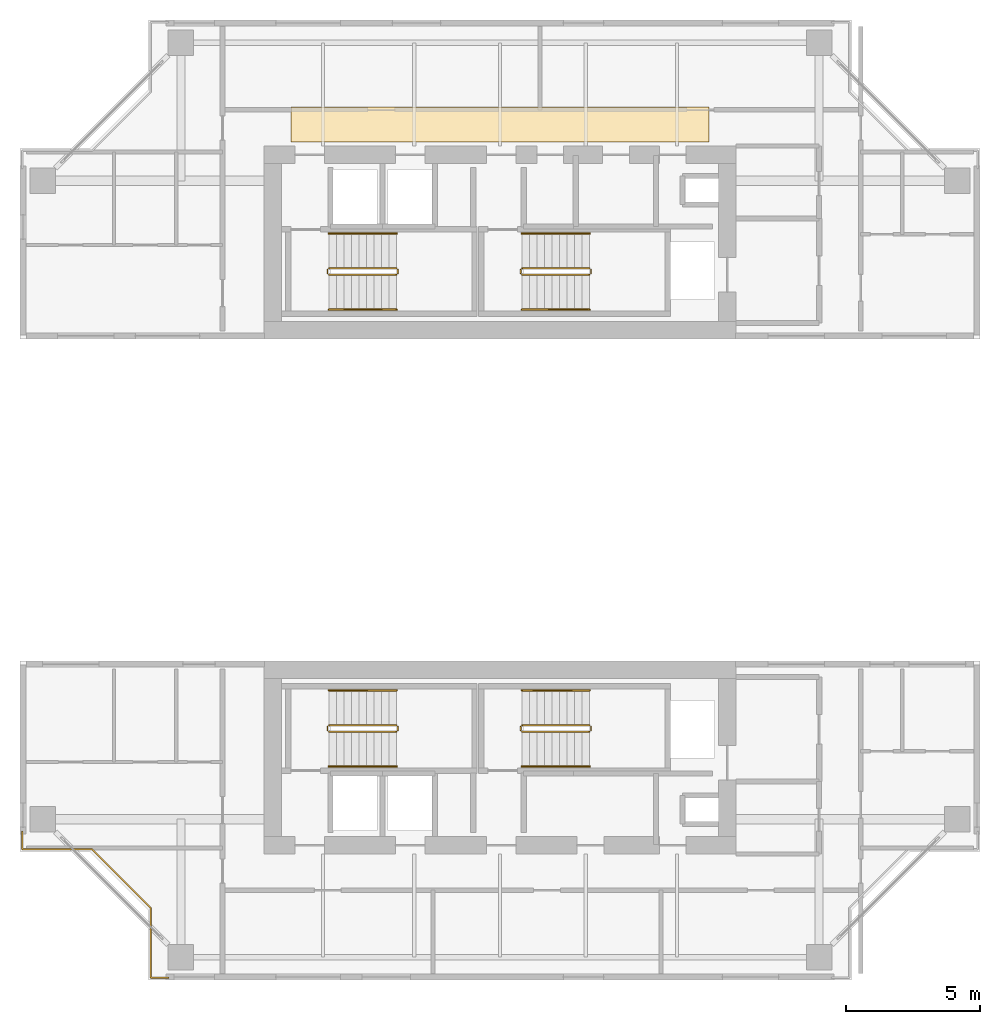
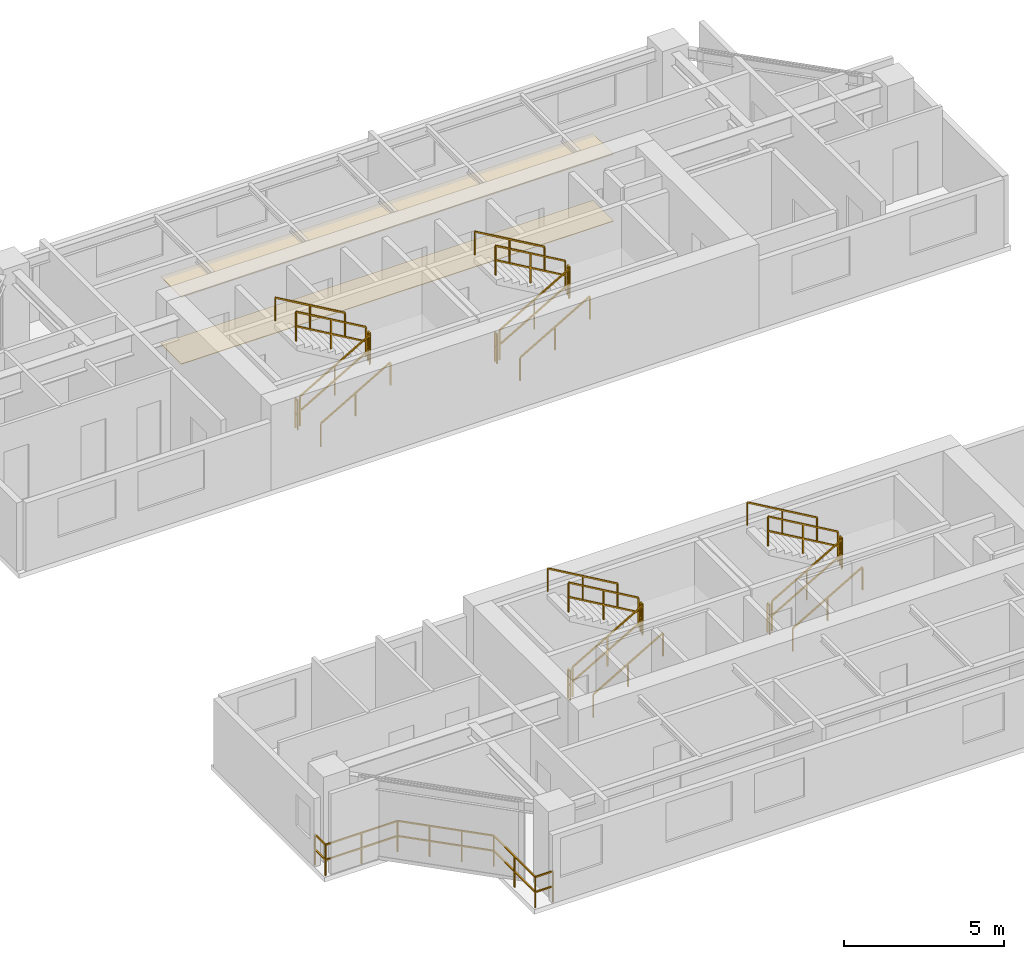
# One storey, part 11 of 12: 25 railings, 2 coverings.
"""IFC4 building model written with IfcOpenShell, lengths in metres."""

from ifc_helpers import new_model, si_unit, direction, frame, origin, origin_2d, place, context, subcontext, project, spatial, polyline, rectangle, outline, extrude, material, layer, layer_set, type_object, element, save


model = new_model("IFC4")

# Units and contexts
model_context = context("Model", 3, precision=1e-05, world=origin(), true_north=direction((0.0, 1.0)))
body_context = subcontext(model_context, "Body", "Model", "MODEL_VIEW")
ifc_project = project(units=[si_unit("LENGTHUNIT", "METRE"), si_unit("AREAUNIT", "SQUARE_METRE"), si_unit("VOLUMEUNIT", "CUBIC_METRE"), si_unit("PLANEANGLEUNIT", "RADIAN"), si_unit("MASSUNIT", "GRAM", prefix="KILO"), si_unit("THERMODYNAMICTEMPERATUREUNIT", "KELVIN"), si_unit("POWERUNIT", "WATT")], contexts=[model_context])

# Site, building, storey
site_placement = place(None, origin())
site = spatial("IfcSite", under=ifc_project, at=site_placement, CompositionType="ELEMENT")
building_placement = place(site_placement, origin())
building = spatial("IfcBuilding", under=site, at=building_placement, Name="Qiaomeng Ring Towers", CompositionType="ELEMENT")
storey_placement = place(building_placement, frame((0.0, 0.0, 156.75)))
storey = spatial("IfcBuildingStorey", under=building, at=storey_placement, Name="L45", CompositionType="ELEMENT", Elevation=156.75)

# Coverings
ifc_material_1 = material(Name="Moisture-resistant gypsum ceiling board", Category="gypsum")
ifc_layer_1 = layer(ifc_material_1, 0.030029296875, Name="Moisture-resistant gypsum ceiling board")
ifc_layer_set_1 = layer_set([ifc_layer_1], Name="Moisture-resistant gypsum ceiling board")
covering_type_1 = type_object("IfcCoveringType", Name="ARC-COV-CEIL2", PredefinedType="CEILING", material=ifc_layer_set_1)
covering_1_placement = place(storey_placement, frame((0.0, 0.0, 2.550048828125)))
element("IfcCovering", 1, at=covering_1_placement, inside=storey, type_object=covering_type_1, Name="L45 Corridor Acoustic Ceiling", PredefinedType="CEILING", context=body_context, shape_type="SweptSolid", body=[
    extrude(outline(polyline([(11.199951171875, 36.35009765625), (11.199951171875, 37.64990234375), (26.800048828125, 37.64990234375), (26.800048828125, 36.35009765625), (11.199951171875, 36.35009765625)])), origin(), (0.0, 0.0, 1.0), 0.02490234375),
])
ifc_material_2 = material(Name="Vitrified porcelain floor tile", Category="ceramic")
ifc_layer_2 = layer(ifc_material_2, 0.02001953125, Name="Vitrified porcelain floor tile")
ifc_layer_set_2 = layer_set([ifc_layer_2], Name="Vitrified porcelain floor tile")
covering_type_2 = type_object("IfcCoveringType", Name="ARC-COV-FLR1", PredefinedType="FLOORING", material=ifc_layer_set_2)
covering_2_placement = place(storey_placement, origin())
element("IfcCovering", 2, at=covering_2_placement, inside=storey, type_object=covering_type_2, Name="L45 Corridor Stone Flooring", PredefinedType="FLOORING", context=body_context, shape_type="SweptSolid", body=[
    extrude(outline(polyline([(11.199951171875, 36.35009765625), (11.199951171875, 37.64990234375), (26.800048828125, 37.64990234375), (26.800048828125, 36.35009765625), (11.199951171875, 36.35009765625)])), origin(), (0.0, 0.0, 1.0), 0.02001953125),
])

# Railings
ifc_material_3 = material(Name="Low-E pale-green laminated safety glass", Category="glass")
railing_type_1 = type_object("IfcRailingType", Name="ARC-RL-BAL1", PredefinedType="BALUSTRADE", material=ifc_material_3)
railing_1_placement = place(storey_placement, frame((1.179931640625, 10.6298828125, 0.0)))
element("IfcRailing", 3, at=railing_1_placement, inside=storey, type_object=railing_type_1, Name="L45 Balustrade ARC-BAL-NOTCH1-L45-SW", PredefinedType="BALUSTRADE", context=body_context, shape_type="SweptSolid", body=[
    extrude(rectangle(XDim=0.048095703125, YDim=0.048095703125, at=origin_2d()), frame((0.0, 0.0, 1.17578125), z_axis=(0.0, -1.0, 0.0), x_axis=(1.0, 0.0, 0.0)), (0.0, 0.0, 1.0), 0.64990234375),
    extrude(rectangle(XDim=0.048095703125, YDim=0.048095703125, at=origin_2d()), frame((0.0, 0.0, 0.60009765625), z_axis=(0.0, -1.0, 0.0), x_axis=(1.0, 0.0, 0.0)), (0.0, 0.0, 1.0), 0.64990234375),
    extrude(rectangle(XDim=0.048095703125, YDim=0.048095703125, at=origin_2d()), frame((0.0, -0.64990234375, 1.17578125), z_axis=(1.0, 0.0, 0.0), x_axis=(0.0, 1.0, 0.0)), (0.0, 0.0, 1.0), 2.60009765625),
    extrude(rectangle(XDim=0.048095703125, YDim=0.048095703125, at=origin_2d()), frame((0.0, -0.64990234375, 0.60009765625), z_axis=(1.0, 0.0, 0.0), x_axis=(0.0, 1.0, 0.0)), (0.0, 0.0, 1.0), 2.60009765625),
    extrude(rectangle(XDim=0.048095703125, YDim=0.048095703125, at=origin_2d()), frame((2.60009765625, -0.64990234375, 1.17578125), z_axis=(0.707106781187, -0.707106781187, 0.0), x_axis=(0.707106781187, 0.707106781187, 0.0)), (0.0, 0.0, 1.0), 3.111083984375),
    extrude(rectangle(XDim=0.048095703125, YDim=0.048095703125, at=origin_2d()), frame((2.60009765625, -0.64990234375, 0.60009765625), z_axis=(0.707106781187, -0.707106781187, 0.0), x_axis=(0.707106781187, 0.707106781187, 0.0)), (0.0, 0.0, 1.0), 3.111083984375),
    extrude(rectangle(XDim=0.048095703125, YDim=0.048095703125, at=origin_2d()), frame((4.800048828125, -2.849853515625, 1.17578125), z_axis=(0.0, -1.0, 0.0), x_axis=(1.0, 0.0, 0.0)), (0.0, 0.0, 1.0), 2.60009765625),
    extrude(rectangle(XDim=0.048095703125, YDim=0.048095703125, at=origin_2d()), frame((4.800048828125, -2.849853515625, 0.60009765625), z_axis=(0.0, -1.0, 0.0), x_axis=(1.0, 0.0, 0.0)), (0.0, 0.0, 1.0), 2.60009765625),
    extrude(rectangle(XDim=0.048095703125, YDim=0.048095703125, at=origin_2d()), frame((4.800048828125, -5.449951171875, 1.17578125), z_axis=(1.0, 0.0, 0.0), x_axis=(0.0, 1.0, 0.0)), (0.0, 0.0, 1.0), 0.64990234375),
    extrude(rectangle(XDim=0.048095703125, YDim=0.048095703125, at=origin_2d()), frame((4.800048828125, -5.449951171875, 0.60009765625), z_axis=(1.0, 0.0, 0.0), x_axis=(0.0, 1.0, 0.0)), (0.0, 0.0, 1.0), 0.64990234375),
    extrude(rectangle(XDim=0.0419921875, YDim=0.0419921875, at=origin_2d()), origin(), (0.0, 0.0, 1.0), 1.15185546875),
    extrude(rectangle(XDim=0.0419921875, YDim=0.0419921875, at=origin_2d()), frame((0.0, -0.64990234375, 0.0)), (0.0, 0.0, 1.0), 1.15185546875),
    extrude(rectangle(XDim=0.0419921875, YDim=0.0419921875, at=origin_2d()), frame((1.300048828125, -0.64990234375, 0.0)), (0.0, 0.0, 1.0), 1.15185546875),
    extrude(rectangle(XDim=0.0419921875, YDim=0.0419921875, at=origin_2d()), frame((2.60009765625, -0.64990234375, 0.0)), (0.0, 0.0, 1.0), 1.15185546875),
    extrude(rectangle(XDim=0.0419921875, YDim=0.0419921875, at=origin_2d()), frame((3.33349609375, -1.38330078125, 0.0)), (0.0, 0.0, 1.0), 1.15185546875),
    extrude(rectangle(XDim=0.0419921875, YDim=0.0419921875, at=origin_2d()), frame((4.066650390625, -2.116455078125, 0.0)), (0.0, 0.0, 1.0), 1.15185546875),
    extrude(rectangle(XDim=0.0419921875, YDim=0.0419921875, at=origin_2d()), frame((4.800048828125, -2.849853515625, 0.0)), (0.0, 0.0, 1.0), 1.15185546875),
    extrude(rectangle(XDim=0.0419921875, YDim=0.0419921875, at=origin_2d()), frame((4.800048828125, -4.14990234375, 0.0)), (0.0, 0.0, 1.0), 1.15185546875),
    extrude(rectangle(XDim=0.0419921875, YDim=0.0419921875, at=origin_2d()), frame((4.800048828125, -5.449951171875, 0.0)), (0.0, 0.0, 1.0), 1.15185546875),
    extrude(rectangle(XDim=0.0419921875, YDim=0.0419921875, at=origin_2d()), frame((5.449951171875, -5.449951171875, 0.0)), (0.0, 0.0, 1.0), 1.15185546875),
])
ifc_material_4 = material(Name="Galvanised steel", Category="steel")
railing_type_2 = type_object("IfcRailingType", Name="ARC-RL-GUARD", PredefinedType="GUARDRAIL", material=ifc_material_4)
railing_2_placement = place(storey_placement, frame((12.6201171875, 31.39990234375, 0.16259765625)))
element("IfcRailing", 4, at=railing_2_placement, inside=storey, type_object=railing_type_2, Name="L45 ST1 stair guard 1", PredefinedType="GUARDRAIL", context=body_context, shape_type="SweptSolid", body=[
    extrude(rectangle(XDim=0.048095703125, YDim=0.048095703125, at=origin_2d()), frame((0.0, 0.0, 1.1259765625), z_axis=(0.864892226395, 0.0, 0.501957604506), x_axis=(0.0, 1.0, 0.0)), (0.0, 0.0, 1.0), 2.913330078125),
    extrude(rectangle(XDim=0.048095703125, YDim=0.048095703125, at=origin_2d()), frame((0.0, 0.0, 0.574951171875), z_axis=(0.864892226395, 0.0, 0.501957604506), x_axis=(0.0, 1.0, 0.0)), (0.0, 0.0, 1.0), 2.913330078125),
    extrude(rectangle(XDim=0.0419921875, YDim=0.0419921875, at=origin_2d()), origin(), (0.0, 0.0, 1.0), 1.101806640625),
    extrude(rectangle(XDim=0.0419921875, YDim=0.0419921875, at=origin_2d()), frame((1.259765625, 0.0, 0.731201171875)), (0.0, 0.0, 1.0), 1.101806640625),
    extrude(rectangle(XDim=0.0419921875, YDim=0.0419921875, at=origin_2d()), frame((2.519775390625, 0.0, 1.46240234375)), (0.0, 0.0, 1.0), 1.101806640625),
])
railing_3_placement = place(storey_placement, frame((15.18994140625, 31.449951171875, 1.625)))
element("IfcRailing", 5, at=railing_3_placement, inside=storey, type_object=railing_type_2, Name="L45 ST1 stair guard 2", PredefinedType="GUARDRAIL", context=body_context, shape_type="SweptSolid", body=[
    extrude(rectangle(XDim=0.048095703125, YDim=0.048095703125, at=origin_2d()), frame((0.0, 0.0, 1.1259765625), z_axis=(0.0, 1.0, 0.0), x_axis=(-1.0, 0.0, 0.0)), (0.0, 0.0, 1.0), 0.14013671875),
    extrude(rectangle(XDim=0.048095703125, YDim=0.048095703125, at=origin_2d()), frame((0.0, 0.0, 0.574951171875), z_axis=(0.0, 1.0, 0.0), x_axis=(-1.0, 0.0, 0.0)), (0.0, 0.0, 1.0), 0.14013671875),
    extrude(rectangle(XDim=0.0419921875, YDim=0.0419921875, at=origin_2d()), origin(), (0.0, 0.0, 1.0), 1.101806640625),
    extrude(rectangle(XDim=0.0419921875, YDim=0.0419921875, at=origin_2d()), frame((0.0, 0.14013671875, 0.0)), (0.0, 0.0, 1.0), 1.101806640625),
])
railing_4_placement = place(storey_placement, frame((15.139892578125, 31.639892578125, 1.78759765625)))
element("IfcRailing", 6, at=railing_4_placement, inside=storey, type_object=railing_type_2, Name="L45 ST1 stair guard 3", PredefinedType="GUARDRAIL", context=body_context, shape_type="SweptSolid", body=[
    extrude(rectangle(XDim=0.048095703125, YDim=0.048095703125, at=origin_2d()), frame((0.0, 0.0, 1.1259765625), z_axis=(-0.864892226395, 0.0, 0.501957604506), x_axis=(0.0, -1.0, 0.0)), (0.0, 0.0, 1.0), 2.913330078125),
    extrude(rectangle(XDim=0.048095703125, YDim=0.048095703125, at=origin_2d()), frame((0.0, 0.0, 0.574951171875), z_axis=(-0.864892226395, 0.0, 0.501957604506), x_axis=(0.0, -1.0, 0.0)), (0.0, 0.0, 1.0), 2.913330078125),
    extrude(rectangle(XDim=0.0419921875, YDim=0.0419921875, at=origin_2d()), origin(), (0.0, 0.0, 1.0), 1.101806640625),
    extrude(rectangle(XDim=0.0419921875, YDim=0.0419921875, at=origin_2d()), frame((-1.259765625, 0.0, 0.731201171875)), (0.0, 0.0, 1.0), 1.101806640625),
    extrude(rectangle(XDim=0.0419921875, YDim=0.0419921875, at=origin_2d()), frame((-2.519775390625, 0.0, 1.46240234375)), (0.0, 0.0, 1.0), 1.101806640625),
])
railing_5_placement = place(storey_placement, frame((12.570068359375, 31.449951171875, 0.0)))
element("IfcRailing", 7, at=railing_5_placement, inside=storey, type_object=railing_type_2, Name="L45 ST1 stair guard 4", PredefinedType="GUARDRAIL", context=body_context, shape_type="SweptSolid", body=[
    extrude(rectangle(XDim=0.048095703125, YDim=0.048095703125, at=origin_2d()), frame((0.0, 0.0, 1.1259765625), z_axis=(0.0, 1.0, 0.0), x_axis=(-1.0, 0.0, 0.0)), (0.0, 0.0, 1.0), 0.14013671875),
    extrude(rectangle(XDim=0.048095703125, YDim=0.048095703125, at=origin_2d()), frame((0.0, 0.0, 0.574951171875), z_axis=(0.0, 1.0, 0.0), x_axis=(-1.0, 0.0, 0.0)), (0.0, 0.0, 1.0), 0.14013671875),
    extrude(rectangle(XDim=0.0419921875, YDim=0.0419921875, at=origin_2d()), origin(), (0.0, 0.0, 1.0), 1.101806640625),
    extrude(rectangle(XDim=0.0419921875, YDim=0.0419921875, at=origin_2d()), frame((0.0, 0.14013671875, 0.0)), (0.0, 0.0, 1.0), 1.101806640625),
])
railing_6_placement = place(storey_placement, frame((19.820068359375, 31.39990234375, 0.16259765625)))
element("IfcRailing", 8, at=railing_6_placement, inside=storey, type_object=railing_type_2, Name="L45 ST2 stair guard 1", PredefinedType="GUARDRAIL", context=body_context, shape_type="SweptSolid", body=[
    extrude(rectangle(XDim=0.048095703125, YDim=0.048095703125, at=origin_2d()), frame((0.0, 0.0, 1.1259765625), z_axis=(0.864913338283, 0.0, 0.50192122615), x_axis=(0.0, 1.0, 0.0)), (0.0, 0.0, 1.0), 2.91357421875),
    extrude(rectangle(XDim=0.048095703125, YDim=0.048095703125, at=origin_2d()), frame((0.0, 0.0, 0.574951171875), z_axis=(0.864913338283, 0.0, 0.50192122615), x_axis=(0.0, 1.0, 0.0)), (0.0, 0.0, 1.0), 2.91357421875),
    extrude(rectangle(XDim=0.0419921875, YDim=0.0419921875, at=origin_2d()), origin(), (0.0, 0.0, 1.0), 1.101806640625),
    extrude(rectangle(XDim=0.0419921875, YDim=0.0419921875, at=origin_2d()), frame((1.260009765625, 0.0, 0.731201171875)), (0.0, 0.0, 1.0), 1.101806640625),
    extrude(rectangle(XDim=0.0419921875, YDim=0.0419921875, at=origin_2d()), frame((2.52001953125, 0.0, 1.46240234375)), (0.0, 0.0, 1.0), 1.101806640625),
])
railing_7_placement = place(storey_placement, frame((22.389892578125, 31.449951171875, 1.625)))
element("IfcRailing", 9, at=railing_7_placement, inside=storey, type_object=railing_type_2, Name="L45 ST2 stair guard 2", PredefinedType="GUARDRAIL", context=body_context, shape_type="SweptSolid", body=[
    extrude(rectangle(XDim=0.048095703125, YDim=0.048095703125, at=origin_2d()), frame((0.0, 0.0, 1.1259765625), z_axis=(0.0, 1.0, 0.0), x_axis=(-1.0, 0.0, 0.0)), (0.0, 0.0, 1.0), 0.14013671875),
    extrude(rectangle(XDim=0.048095703125, YDim=0.048095703125, at=origin_2d()), frame((0.0, 0.0, 0.574951171875), z_axis=(0.0, 1.0, 0.0), x_axis=(-1.0, 0.0, 0.0)), (0.0, 0.0, 1.0), 0.14013671875),
    extrude(rectangle(XDim=0.0419921875, YDim=0.0419921875, at=origin_2d()), origin(), (0.0, 0.0, 1.0), 1.101806640625),
    extrude(rectangle(XDim=0.0419921875, YDim=0.0419921875, at=origin_2d()), frame((0.0, 0.14013671875, 0.0)), (0.0, 0.0, 1.0), 1.101806640625),
])
railing_8_placement = place(storey_placement, frame((22.340087890625, 31.639892578125, 1.78759765625)))
element("IfcRailing", 10, at=railing_8_placement, inside=storey, type_object=railing_type_2, Name="L45 ST2 stair guard 3", PredefinedType="GUARDRAIL", context=body_context, shape_type="SweptSolid", body=[
    extrude(rectangle(XDim=0.048095703125, YDim=0.048095703125, at=origin_2d()), frame((0.0, 0.0, 1.1259765625), z_axis=(-0.864913338283, 0.0, 0.50192122615), x_axis=(0.0, -1.0, 0.0)), (0.0, 0.0, 1.0), 2.91357421875),
    extrude(rectangle(XDim=0.048095703125, YDim=0.048095703125, at=origin_2d()), frame((0.0, 0.0, 0.574951171875), z_axis=(-0.864913338283, 0.0, 0.50192122615), x_axis=(0.0, -1.0, 0.0)), (0.0, 0.0, 1.0), 2.91357421875),
    extrude(rectangle(XDim=0.0419921875, YDim=0.0419921875, at=origin_2d()), origin(), (0.0, 0.0, 1.0), 1.101806640625),
    extrude(rectangle(XDim=0.0419921875, YDim=0.0419921875, at=origin_2d()), frame((-1.260009765625, 0.0, 0.731201171875)), (0.0, 0.0, 1.0), 1.101806640625),
    extrude(rectangle(XDim=0.0419921875, YDim=0.0419921875, at=origin_2d()), frame((-2.52001953125, 0.0, 1.46240234375)), (0.0, 0.0, 1.0), 1.101806640625),
])
railing_9_placement = place(storey_placement, frame((19.77001953125, 31.449951171875, 0.0)))
element("IfcRailing", 11, at=railing_9_placement, inside=storey, type_object=railing_type_2, Name="L45 ST2 stair guard 4", PredefinedType="GUARDRAIL", context=body_context, shape_type="SweptSolid", body=[
    extrude(rectangle(XDim=0.048095703125, YDim=0.048095703125, at=origin_2d()), frame((0.0, 0.0, 1.1259765625), z_axis=(0.0, 1.0, 0.0), x_axis=(-1.0, 0.0, 0.0)), (0.0, 0.0, 1.0), 0.14013671875),
    extrude(rectangle(XDim=0.048095703125, YDim=0.048095703125, at=origin_2d()), frame((0.0, 0.0, 0.574951171875), z_axis=(0.0, 1.0, 0.0), x_axis=(-1.0, 0.0, 0.0)), (0.0, 0.0, 1.0), 0.14013671875),
    extrude(rectangle(XDim=0.0419921875, YDim=0.0419921875, at=origin_2d()), origin(), (0.0, 0.0, 1.0), 1.101806640625),
    extrude(rectangle(XDim=0.0419921875, YDim=0.0419921875, at=origin_2d()), frame((0.0, 0.14013671875, 0.0)), (0.0, 0.0, 1.0), 1.101806640625),
])
railing_10_placement = place(storey_placement, frame((12.6201171875, 14.360107421875, 0.16259765625)))
element("IfcRailing", 12, at=railing_10_placement, inside=storey, type_object=railing_type_2, Name="L45 ST3 stair guard 1", PredefinedType="GUARDRAIL", context=body_context, shape_type="SweptSolid", body=[
    extrude(rectangle(XDim=0.048095703125, YDim=0.048095703125, at=origin_2d()), frame((0.0, 0.0, 1.1259765625), z_axis=(0.864892226395, 0.0, 0.501957604506), x_axis=(0.0, 1.0, 0.0)), (0.0, 0.0, 1.0), 2.913330078125),
    extrude(rectangle(XDim=0.048095703125, YDim=0.048095703125, at=origin_2d()), frame((0.0, 0.0, 0.574951171875), z_axis=(0.864892226395, 0.0, 0.501957604506), x_axis=(0.0, 1.0, 0.0)), (0.0, 0.0, 1.0), 2.913330078125),
    extrude(rectangle(XDim=0.0419921875, YDim=0.0419921875, at=origin_2d()), origin(), (0.0, 0.0, 1.0), 1.101806640625),
    extrude(rectangle(XDim=0.0419921875, YDim=0.0419921875, at=origin_2d()), frame((1.259765625, 0.0, 0.731201171875)), (0.0, 0.0, 1.0), 1.101806640625),
    extrude(rectangle(XDim=0.0419921875, YDim=0.0419921875, at=origin_2d()), frame((2.519775390625, 0.0, 1.46240234375)), (0.0, 0.0, 1.0), 1.101806640625),
])
railing_11_placement = place(storey_placement, frame((15.18994140625, 14.409912109375, 1.625)))
element("IfcRailing", 13, at=railing_11_placement, inside=storey, type_object=railing_type_2, Name="L45 ST3 stair guard 2", PredefinedType="GUARDRAIL", context=body_context, shape_type="SweptSolid", body=[
    extrude(rectangle(XDim=0.048095703125, YDim=0.048095703125, at=origin_2d()), frame((0.0, 0.0, 1.1259765625), z_axis=(0.0, 1.0, 0.0), x_axis=(-1.0, 0.0, 0.0)), (0.0, 0.0, 1.0), 0.14013671875),
    extrude(rectangle(XDim=0.048095703125, YDim=0.048095703125, at=origin_2d()), frame((0.0, 0.0, 0.574951171875), z_axis=(0.0, 1.0, 0.0), x_axis=(-1.0, 0.0, 0.0)), (0.0, 0.0, 1.0), 0.14013671875),
    extrude(rectangle(XDim=0.0419921875, YDim=0.0419921875, at=origin_2d()), origin(), (0.0, 0.0, 1.0), 1.101806640625),
    extrude(rectangle(XDim=0.0419921875, YDim=0.0419921875, at=origin_2d()), frame((0.0, 0.14013671875, 0.0)), (0.0, 0.0, 1.0), 1.101806640625),
])
railing_12_placement = place(storey_placement, frame((15.139892578125, 14.60009765625, 1.78759765625)))
element("IfcRailing", 14, at=railing_12_placement, inside=storey, type_object=railing_type_2, Name="L45 ST3 stair guard 3", PredefinedType="GUARDRAIL", context=body_context, shape_type="SweptSolid", body=[
    extrude(rectangle(XDim=0.048095703125, YDim=0.048095703125, at=origin_2d()), frame((0.0, 0.0, 1.1259765625), z_axis=(-0.864892226395, 0.0, 0.501957604506), x_axis=(0.0, -1.0, 0.0)), (0.0, 0.0, 1.0), 2.913330078125),
    extrude(rectangle(XDim=0.048095703125, YDim=0.048095703125, at=origin_2d()), frame((0.0, 0.0, 0.574951171875), z_axis=(-0.864892226395, 0.0, 0.501957604506), x_axis=(0.0, -1.0, 0.0)), (0.0, 0.0, 1.0), 2.913330078125),
    extrude(rectangle(XDim=0.0419921875, YDim=0.0419921875, at=origin_2d()), origin(), (0.0, 0.0, 1.0), 1.101806640625),
    extrude(rectangle(XDim=0.0419921875, YDim=0.0419921875, at=origin_2d()), frame((-1.259765625, 0.0, 0.731201171875)), (0.0, 0.0, 1.0), 1.101806640625),
    extrude(rectangle(XDim=0.0419921875, YDim=0.0419921875, at=origin_2d()), frame((-2.519775390625, 0.0, 1.46240234375)), (0.0, 0.0, 1.0), 1.101806640625),
])
railing_13_placement = place(storey_placement, frame((12.570068359375, 14.409912109375, 0.0)))
element("IfcRailing", 15, at=railing_13_placement, inside=storey, type_object=railing_type_2, Name="L45 ST3 stair guard 4", PredefinedType="GUARDRAIL", context=body_context, shape_type="SweptSolid", body=[
    extrude(rectangle(XDim=0.048095703125, YDim=0.048095703125, at=origin_2d()), frame((0.0, 0.0, 1.1259765625), z_axis=(0.0, 1.0, 0.0), x_axis=(-1.0, 0.0, 0.0)), (0.0, 0.0, 1.0), 0.14013671875),
    extrude(rectangle(XDim=0.048095703125, YDim=0.048095703125, at=origin_2d()), frame((0.0, 0.0, 0.574951171875), z_axis=(0.0, 1.0, 0.0), x_axis=(-1.0, 0.0, 0.0)), (0.0, 0.0, 1.0), 0.14013671875),
    extrude(rectangle(XDim=0.0419921875, YDim=0.0419921875, at=origin_2d()), origin(), (0.0, 0.0, 1.0), 1.101806640625),
    extrude(rectangle(XDim=0.0419921875, YDim=0.0419921875, at=origin_2d()), frame((0.0, 0.14013671875, 0.0)), (0.0, 0.0, 1.0), 1.101806640625),
])
railing_14_placement = place(storey_placement, frame((19.820068359375, 14.360107421875, 0.16259765625)))
element("IfcRailing", 16, at=railing_14_placement, inside=storey, type_object=railing_type_2, Name="L45 ST4 stair guard 1", PredefinedType="GUARDRAIL", context=body_context, shape_type="SweptSolid", body=[
    extrude(rectangle(XDim=0.048095703125, YDim=0.048095703125, at=origin_2d()), frame((0.0, 0.0, 1.1259765625), z_axis=(0.864913338283, 0.0, 0.50192122615), x_axis=(0.0, 1.0, 0.0)), (0.0, 0.0, 1.0), 2.91357421875),
    extrude(rectangle(XDim=0.048095703125, YDim=0.048095703125, at=origin_2d()), frame((0.0, 0.0, 0.574951171875), z_axis=(0.864913338283, 0.0, 0.50192122615), x_axis=(0.0, 1.0, 0.0)), (0.0, 0.0, 1.0), 2.91357421875),
    extrude(rectangle(XDim=0.0419921875, YDim=0.0419921875, at=origin_2d()), origin(), (0.0, 0.0, 1.0), 1.101806640625),
    extrude(rectangle(XDim=0.0419921875, YDim=0.0419921875, at=origin_2d()), frame((1.260009765625, 0.0, 0.731201171875)), (0.0, 0.0, 1.0), 1.101806640625),
    extrude(rectangle(XDim=0.0419921875, YDim=0.0419921875, at=origin_2d()), frame((2.52001953125, 0.0, 1.46240234375)), (0.0, 0.0, 1.0), 1.101806640625),
])
railing_15_placement = place(storey_placement, frame((22.389892578125, 14.409912109375, 1.625)))
element("IfcRailing", 17, at=railing_15_placement, inside=storey, type_object=railing_type_2, Name="L45 ST4 stair guard 2", PredefinedType="GUARDRAIL", context=body_context, shape_type="SweptSolid", body=[
    extrude(rectangle(XDim=0.048095703125, YDim=0.048095703125, at=origin_2d()), frame((0.0, 0.0, 1.1259765625), z_axis=(0.0, 1.0, 0.0), x_axis=(-1.0, 0.0, 0.0)), (0.0, 0.0, 1.0), 0.14013671875),
    extrude(rectangle(XDim=0.048095703125, YDim=0.048095703125, at=origin_2d()), frame((0.0, 0.0, 0.574951171875), z_axis=(0.0, 1.0, 0.0), x_axis=(-1.0, 0.0, 0.0)), (0.0, 0.0, 1.0), 0.14013671875),
    extrude(rectangle(XDim=0.0419921875, YDim=0.0419921875, at=origin_2d()), origin(), (0.0, 0.0, 1.0), 1.101806640625),
    extrude(rectangle(XDim=0.0419921875, YDim=0.0419921875, at=origin_2d()), frame((0.0, 0.14013671875, 0.0)), (0.0, 0.0, 1.0), 1.101806640625),
])
railing_16_placement = place(storey_placement, frame((22.340087890625, 14.60009765625, 1.78759765625)))
element("IfcRailing", 18, at=railing_16_placement, inside=storey, type_object=railing_type_2, Name="L45 ST4 stair guard 3", PredefinedType="GUARDRAIL", context=body_context, shape_type="SweptSolid", body=[
    extrude(rectangle(XDim=0.048095703125, YDim=0.048095703125, at=origin_2d()), frame((0.0, 0.0, 1.1259765625), z_axis=(-0.864913338283, 0.0, 0.50192122615), x_axis=(0.0, -1.0, 0.0)), (0.0, 0.0, 1.0), 2.91357421875),
    extrude(rectangle(XDim=0.048095703125, YDim=0.048095703125, at=origin_2d()), frame((0.0, 0.0, 0.574951171875), z_axis=(-0.864913338283, 0.0, 0.50192122615), x_axis=(0.0, -1.0, 0.0)), (0.0, 0.0, 1.0), 2.91357421875),
    extrude(rectangle(XDim=0.0419921875, YDim=0.0419921875, at=origin_2d()), origin(), (0.0, 0.0, 1.0), 1.101806640625),
    extrude(rectangle(XDim=0.0419921875, YDim=0.0419921875, at=origin_2d()), frame((-1.260009765625, 0.0, 0.731201171875)), (0.0, 0.0, 1.0), 1.101806640625),
    extrude(rectangle(XDim=0.0419921875, YDim=0.0419921875, at=origin_2d()), frame((-2.52001953125, 0.0, 1.46240234375)), (0.0, 0.0, 1.0), 1.101806640625),
])
railing_17_placement = place(storey_placement, frame((19.77001953125, 14.409912109375, 0.0)))
element("IfcRailing", 19, at=railing_17_placement, inside=storey, type_object=railing_type_2, Name="L45 ST4 stair guard 4", PredefinedType="GUARDRAIL", context=body_context, shape_type="SweptSolid", body=[
    extrude(rectangle(XDim=0.048095703125, YDim=0.048095703125, at=origin_2d()), frame((0.0, 0.0, 1.1259765625), z_axis=(0.0, 1.0, 0.0), x_axis=(-1.0, 0.0, 0.0)), (0.0, 0.0, 1.0), 0.14013671875),
    extrude(rectangle(XDim=0.048095703125, YDim=0.048095703125, at=origin_2d()), frame((0.0, 0.0, 0.574951171875), z_axis=(0.0, 1.0, 0.0), x_axis=(-1.0, 0.0, 0.0)), (0.0, 0.0, 1.0), 0.14013671875),
    extrude(rectangle(XDim=0.0419921875, YDim=0.0419921875, at=origin_2d()), origin(), (0.0, 0.0, 1.0), 1.101806640625),
    extrude(rectangle(XDim=0.0419921875, YDim=0.0419921875, at=origin_2d()), frame((0.0, 0.14013671875, 0.0)), (0.0, 0.0, 1.0), 1.101806640625),
])
ifc_material_5 = material(Name="Stainless steel 316", Category="steel")
railing_type_3 = type_object("IfcRailingType", Name="ARC-RL-HAND", PredefinedType="HANDRAIL", material=ifc_material_5)
railing_18_placement = place(storey_placement, frame((12.6201171875, 30.10009765625, 0.16259765625)))
element("IfcRailing", 20, at=railing_18_placement, inside=storey, type_object=railing_type_3, Name="L45 ST1 stair handrail 1", PredefinedType="HANDRAIL", context=body_context, shape_type="SweptSolid", body=[
    extrude(rectangle(XDim=0.048095703125, YDim=0.048095703125, at=origin_2d()), frame((0.0, 0.0, 0.8759765625), z_axis=(0.864892226395, 0.0, 0.501957604506), x_axis=(0.0, 1.0, 0.0)), (0.0, 0.0, 1.0), 2.913330078125),
    extrude(rectangle(XDim=0.0419921875, YDim=0.0419921875, at=origin_2d()), origin(), (0.0, 0.0, 1.0), 0.851806640625),
    extrude(rectangle(XDim=0.0419921875, YDim=0.0419921875, at=origin_2d()), frame((1.259765625, 0.0, 0.731201171875)), (0.0, 0.0, 1.0), 0.851806640625),
    extrude(rectangle(XDim=0.0419921875, YDim=0.0419921875, at=origin_2d()), frame((2.519775390625, 0.0, 1.46240234375)), (0.0, 0.0, 1.0), 0.851806640625),
])
railing_19_placement = place(storey_placement, frame((15.139892578125, 32.93994140625, 1.78759765625)))
element("IfcRailing", 21, at=railing_19_placement, inside=storey, type_object=railing_type_3, Name="L45 ST1 stair handrail 2", PredefinedType="HANDRAIL", context=body_context, shape_type="SweptSolid", body=[
    extrude(rectangle(XDim=0.048095703125, YDim=0.048095703125, at=origin_2d()), frame((0.0, 0.0, 0.8759765625), z_axis=(-0.864892226395, 0.0, 0.501957604506), x_axis=(0.0, -1.0, 0.0)), (0.0, 0.0, 1.0), 2.913330078125),
    extrude(rectangle(XDim=0.0419921875, YDim=0.0419921875, at=origin_2d()), origin(), (0.0, 0.0, 1.0), 0.851806640625),
    extrude(rectangle(XDim=0.0419921875, YDim=0.0419921875, at=origin_2d()), frame((-1.259765625, 0.0, 0.731201171875)), (0.0, 0.0, 1.0), 0.851806640625),
    extrude(rectangle(XDim=0.0419921875, YDim=0.0419921875, at=origin_2d()), frame((-2.519775390625, 0.0, 1.46240234375)), (0.0, 0.0, 1.0), 0.851806640625),
])
railing_20_placement = place(storey_placement, frame((19.820068359375, 30.10009765625, 0.16259765625)))
element("IfcRailing", 22, at=railing_20_placement, inside=storey, type_object=railing_type_3, Name="L45 ST2 stair handrail 1", PredefinedType="HANDRAIL", context=body_context, shape_type="SweptSolid", body=[
    extrude(rectangle(XDim=0.048095703125, YDim=0.048095703125, at=origin_2d()), frame((0.0, 0.0, 0.8759765625), z_axis=(0.864913338283, 0.0, 0.50192122615), x_axis=(0.0, 1.0, 0.0)), (0.0, 0.0, 1.0), 2.91357421875),
    extrude(rectangle(XDim=0.0419921875, YDim=0.0419921875, at=origin_2d()), origin(), (0.0, 0.0, 1.0), 0.851806640625),
    extrude(rectangle(XDim=0.0419921875, YDim=0.0419921875, at=origin_2d()), frame((1.260009765625, 0.0, 0.731201171875)), (0.0, 0.0, 1.0), 0.851806640625),
    extrude(rectangle(XDim=0.0419921875, YDim=0.0419921875, at=origin_2d()), frame((2.52001953125, 0.0, 1.46240234375)), (0.0, 0.0, 1.0), 0.851806640625),
])
railing_21_placement = place(storey_placement, frame((22.340087890625, 32.93994140625, 1.78759765625)))
element("IfcRailing", 23, at=railing_21_placement, inside=storey, type_object=railing_type_3, Name="L45 ST2 stair handrail 2", PredefinedType="HANDRAIL", context=body_context, shape_type="SweptSolid", body=[
    extrude(rectangle(XDim=0.048095703125, YDim=0.048095703125, at=origin_2d()), frame((0.0, 0.0, 0.8759765625), z_axis=(-0.864913338283, 0.0, 0.50192122615), x_axis=(0.0, -1.0, 0.0)), (0.0, 0.0, 1.0), 2.91357421875),
    extrude(rectangle(XDim=0.0419921875, YDim=0.0419921875, at=origin_2d()), origin(), (0.0, 0.0, 1.0), 0.851806640625),
    extrude(rectangle(XDim=0.0419921875, YDim=0.0419921875, at=origin_2d()), frame((-1.260009765625, 0.0, 0.731201171875)), (0.0, 0.0, 1.0), 0.851806640625),
    extrude(rectangle(XDim=0.0419921875, YDim=0.0419921875, at=origin_2d()), frame((-2.52001953125, 0.0, 1.46240234375)), (0.0, 0.0, 1.0), 0.851806640625),
])
railing_22_placement = place(storey_placement, frame((12.6201171875, 13.06005859375, 0.16259765625)))
element("IfcRailing", 24, at=railing_22_placement, inside=storey, type_object=railing_type_3, Name="L45 ST3 stair handrail 1", PredefinedType="HANDRAIL", context=body_context, shape_type="SweptSolid", body=[
    extrude(rectangle(XDim=0.048095703125, YDim=0.048095703125, at=origin_2d()), frame((0.0, 0.0, 0.8759765625), z_axis=(0.864892226395, 0.0, 0.501957604506), x_axis=(0.0, 1.0, 0.0)), (0.0, 0.0, 1.0), 2.913330078125),
    extrude(rectangle(XDim=0.0419921875, YDim=0.0419921875, at=origin_2d()), origin(), (0.0, 0.0, 1.0), 0.851806640625),
    extrude(rectangle(XDim=0.0419921875, YDim=0.0419921875, at=origin_2d()), frame((1.259765625, 0.0, 0.731201171875)), (0.0, 0.0, 1.0), 0.851806640625),
    extrude(rectangle(XDim=0.0419921875, YDim=0.0419921875, at=origin_2d()), frame((2.519775390625, 0.0, 1.46240234375)), (0.0, 0.0, 1.0), 0.851806640625),
])
railing_23_placement = place(storey_placement, frame((15.139892578125, 15.89990234375, 1.78759765625)))
element("IfcRailing", 25, at=railing_23_placement, inside=storey, type_object=railing_type_3, Name="L45 ST3 stair handrail 2", PredefinedType="HANDRAIL", context=body_context, shape_type="SweptSolid", body=[
    extrude(rectangle(XDim=0.048095703125, YDim=0.048095703125, at=origin_2d()), frame((0.0, 0.0, 0.8759765625), z_axis=(-0.864892226395, 0.0, 0.501957604506), x_axis=(0.0, -1.0, 0.0)), (0.0, 0.0, 1.0), 2.913330078125),
    extrude(rectangle(XDim=0.0419921875, YDim=0.0419921875, at=origin_2d()), origin(), (0.0, 0.0, 1.0), 0.851806640625),
    extrude(rectangle(XDim=0.0419921875, YDim=0.0419921875, at=origin_2d()), frame((-1.259765625, 0.0, 0.731201171875)), (0.0, 0.0, 1.0), 0.851806640625),
    extrude(rectangle(XDim=0.0419921875, YDim=0.0419921875, at=origin_2d()), frame((-2.519775390625, 0.0, 1.46240234375)), (0.0, 0.0, 1.0), 0.851806640625),
])
railing_24_placement = place(storey_placement, frame((19.820068359375, 13.06005859375, 0.16259765625)))
element("IfcRailing", 26, at=railing_24_placement, inside=storey, type_object=railing_type_3, Name="L45 ST4 stair handrail 1", PredefinedType="HANDRAIL", context=body_context, shape_type="SweptSolid", body=[
    extrude(rectangle(XDim=0.048095703125, YDim=0.048095703125, at=origin_2d()), frame((0.0, 0.0, 0.8759765625), z_axis=(0.864913338283, 0.0, 0.50192122615), x_axis=(0.0, 1.0, 0.0)), (0.0, 0.0, 1.0), 2.91357421875),
    extrude(rectangle(XDim=0.0419921875, YDim=0.0419921875, at=origin_2d()), origin(), (0.0, 0.0, 1.0), 0.851806640625),
    extrude(rectangle(XDim=0.0419921875, YDim=0.0419921875, at=origin_2d()), frame((1.260009765625, 0.0, 0.731201171875)), (0.0, 0.0, 1.0), 0.851806640625),
    extrude(rectangle(XDim=0.0419921875, YDim=0.0419921875, at=origin_2d()), frame((2.52001953125, 0.0, 1.46240234375)), (0.0, 0.0, 1.0), 0.851806640625),
])
railing_25_placement = place(storey_placement, frame((22.340087890625, 15.89990234375, 1.78759765625)))
element("IfcRailing", 27, at=railing_25_placement, inside=storey, type_object=railing_type_3, Name="L45 ST4 stair handrail 2", PredefinedType="HANDRAIL", context=body_context, shape_type="SweptSolid", body=[
    extrude(rectangle(XDim=0.048095703125, YDim=0.048095703125, at=origin_2d()), frame((0.0, 0.0, 0.8759765625), z_axis=(-0.864913338283, 0.0, 0.50192122615), x_axis=(0.0, -1.0, 0.0)), (0.0, 0.0, 1.0), 2.91357421875),
    extrude(rectangle(XDim=0.0419921875, YDim=0.0419921875, at=origin_2d()), origin(), (0.0, 0.0, 1.0), 0.851806640625),
    extrude(rectangle(XDim=0.0419921875, YDim=0.0419921875, at=origin_2d()), frame((-1.260009765625, 0.0, 0.731201171875)), (0.0, 0.0, 1.0), 0.851806640625),
    extrude(rectangle(XDim=0.0419921875, YDim=0.0419921875, at=origin_2d()), frame((-2.52001953125, 0.0, 1.46240234375)), (0.0, 0.0, 1.0), 0.851806640625),
])

save(model, "model.ifc")
